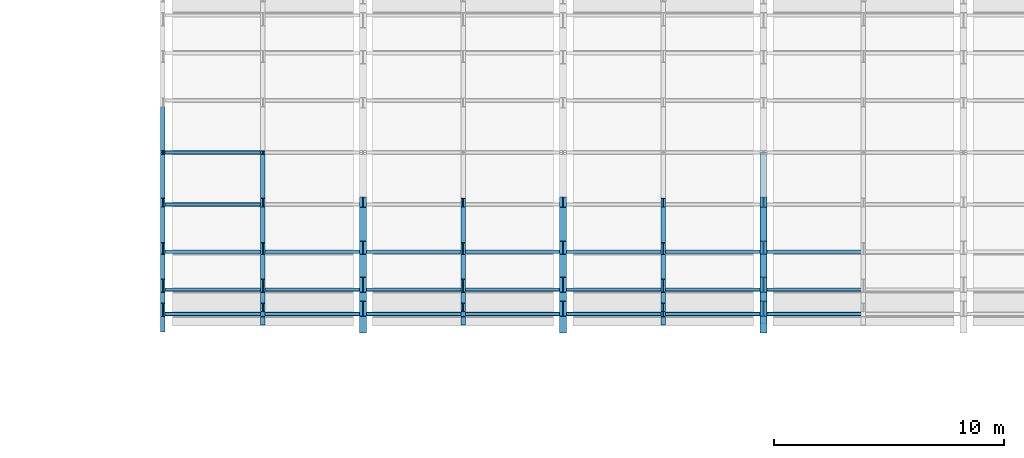
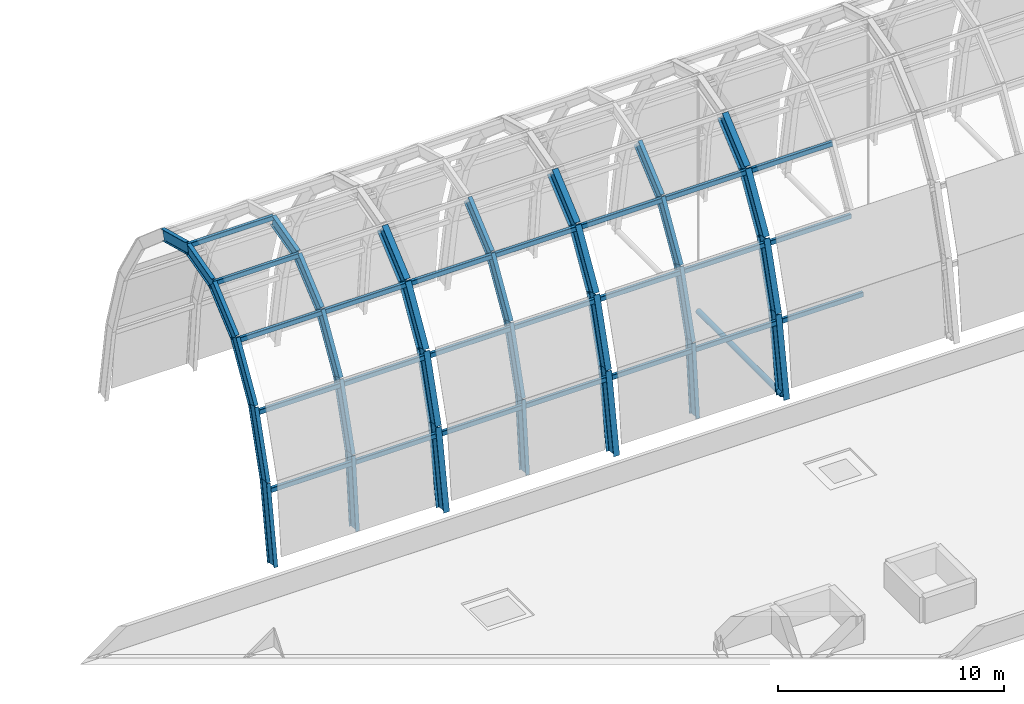
# One storey, part 1 of 13: 31 beams, 24 members.
"""IFC4 building model written with IfcOpenShell, lengths in metres."""

from ifc_helpers import new_model, si_unit, derived_unit, direction, frame, origin, origin_2d, place, context, subcontext, project, spatial, hollow_rectangle, hollow_circle, i_section, extrude, material, material_profile, profile_set, type_object, element, save


model = new_model("IFC4")

# Units and contexts
model_context = context("Model", 3, precision=1e-05, world=origin(), true_north=direction((0.0, 1.0)))
body_context = subcontext(model_context, "Body", "Model", "MODEL_VIEW")
ifc_project = project(units=[si_unit("LENGTHUNIT", "METRE"), si_unit("AREAUNIT", "SQUARE_METRE"), si_unit("VOLUMEUNIT", "CUBIC_METRE"), si_unit("PLANEANGLEUNIT", "RADIAN"), si_unit("MASSUNIT", "GRAM", prefix="KILO"), derived_unit("THERMALTRANSMITTANCEUNIT", [(si_unit("MASSUNIT", "GRAM", prefix="KILO"), 1), (si_unit("TIMEUNIT", "SECOND"), -3), (si_unit("THERMODYNAMICTEMPERATUREUNIT", "KELVIN"), -1)])], contexts=[model_context])

# Site, building, storey
site_placement = place(None, origin())
site = spatial("IfcSite", under=ifc_project, at=site_placement, CompositionType="ELEMENT")
building_placement = place(site_placement, origin())
building = spatial("IfcBuilding", under=site, at=building_placement, Name="Qinzheling Arcade Emporium", CompositionType="ELEMENT")
storey_placement = place(building_placement, frame((0.0, 0.0, 41.10009765625)))
storey = spatial("IfcBuildingStorey", under=building, at=storey_placement, Name="RF", CompositionType="ELEMENT", Elevation=41.10009765625)

# Beams
ifc_material = material(Name="Weathering steel Q355NH", Category="steel")
ifc_material_profile_1 = material_profile(ifc_material, i_section(OverallWidth=0.199951171875, OverallDepth=0.60009765625, WebThickness=0.010986328125, FlangeThickness=0.01708984375, FilletRadius=0.02001953125, at=origin_2d()), Name="HN 600x200x11x17", Category="steel")
ifc_profile_set_1 = profile_set([ifc_material_profile_1], Name="Weathering steel Q355NH")
beam_type_1 = type_object("IfcBeamType", Name="Atrium End Arch Rib HN600 Q355NH", PredefinedType="BEAM", material=ifc_profile_set_1)
beam_1_placement = place(storey_placement, frame((34.800048828125, 50.39990234375, -5.10009765625), z_axis=(0.0, 0.157845005708, 0.987463900187), x_axis=(-1.0, 0.0, 0.0)))
element("IfcBeam", 1, at=beam_1_placement, inside=storey, type_object=beam_type_1, Name="Atrium Arch Rib VLT-ATRIUM-RIB-01-S01", PredefinedType="BEAM", context=body_context, shape_type="SweptSolid", body=[
    extrude(i_section(OverallWidth=0.199951171875, OverallDepth=0.60009765625, WebThickness=0.010986328125, FlangeThickness=0.01708984375, FilletRadius=0.02001953125, at=origin_2d()), origin(), (0.0, 0.0, 1.0), 4.1884765625),
])
beam_2_placement = place(storey_placement, frame((34.800048828125, 51.06103515625, -0.964111328125), z_axis=(0.0, 0.289950987628, 0.957041495847), x_axis=(-1.0, 0.0, 0.0)))
element("IfcBeam", 2, at=beam_2_placement, inside=storey, type_object=beam_type_1, Name="Atrium Arch Rib VLT-ATRIUM-RIB-01-S02", PredefinedType="BEAM", context=body_context, shape_type="SweptSolid", body=[
    extrude(i_section(OverallWidth=0.199951171875, OverallDepth=0.60009765625, WebThickness=0.010986328125, FlangeThickness=0.01708984375, FilletRadius=0.02001953125, at=origin_2d()), origin(), (0.0, 0.0, 1.0), 3.603759765625),
])
beam_3_placement = place(storey_placement, frame((34.800048828125, 52.10595703125, 2.48486328125), z_axis=(0.0, 0.511083106472, 0.859531301512), x_axis=(-1.0, 0.0, 0.0)))
element("IfcBeam", 3, at=beam_3_placement, inside=storey, type_object=beam_type_1, Name="Atrium Arch Rib VLT-ATRIUM-RIB-01-S03", PredefinedType="BEAM", context=body_context, shape_type="SweptSolid", body=[
    extrude(i_section(OverallWidth=0.199951171875, OverallDepth=0.60009765625, WebThickness=0.010986328125, FlangeThickness=0.01708984375, FilletRadius=0.02001953125, at=origin_2d()), origin(), (0.0, 0.0, 1.0), 3.159912109375),
])
beam_4_placement = place(storey_placement, frame((34.800048828125, 53.720947265625, 5.200927734375), z_axis=(0.0, 0.759080059395, 0.650997283734), x_axis=(-1.0, 0.0, 0.0)))
element("IfcBeam", 4, at=beam_4_placement, inside=storey, type_object=beam_type_1, Name="Atrium Arch Rib VLT-ATRIUM-RIB-01-S04", PredefinedType="BEAM", context=body_context, shape_type="SweptSolid", body=[
    extrude(i_section(OverallWidth=0.199951171875, OverallDepth=0.60009765625, WebThickness=0.010986328125, FlangeThickness=0.01708984375, FilletRadius=0.02001953125, at=origin_2d()), origin(), (0.0, 0.0, 1.0), 2.635986328125),
])
for number, where, z_axis, x_axis, name in (
    (5, (34.800048828125, 55.721923828125, 6.9169921875), (0.0, 0.96599008247, 0.25857911859), (-1.0, 0.0, 0.0), "Atrium Arch Rib VLT-ATRIUM-RIB-01-S05"),
    (6, (34.800048828125, 57.89990234375, 7.5), (0.0, 0.96599008247, -0.25857911859), (-1.0, 0.0, 0.0), "Atrium Arch Rib VLT-ATRIUM-RIB-01-S06"),
):
    element("IfcBeam", number, at=place(storey_placement, frame(where, z_axis=z_axis, x_axis=x_axis)), inside=storey, type_object=beam_type_1, Name=name, PredefinedType="BEAM", context=body_context, shape_type="SweptSolid", body=[
        extrude(i_section(OverallWidth=0.199951171875, OverallDepth=0.60009765625, WebThickness=0.010986328125, FlangeThickness=0.01708984375, FilletRadius=0.02001953125, at=origin_2d()), origin(), (0.0, 0.0, 1.0), 2.254638671875),
    ])
beam_5_placement = place(storey_placement, frame((39.14990234375, 50.697021484375, -4.828125), z_axis=(0.0, 0.093291990198, 0.995638792216), x_axis=(-1.0, 0.0, 0.0)))
element("IfcBeam", 7, at=beam_5_placement, inside=storey, type_object=beam_type_1, Name="Atrium Sub-Rib VLT-ATRIUM-SRIB-B01-S01", PredefinedType="BEAM", context=body_context, shape_type="SweptSolid", body=[
    extrude(i_section(OverallWidth=0.199951171875, OverallDepth=0.60009765625, WebThickness=0.010986328125, FlangeThickness=0.01708984375, FilletRadius=0.02001953125, at=origin_2d()), origin(), (0.0, 0.0, 1.0), 3.880859375),
])
beam_6_placement = place(storey_placement, frame((39.14990234375, 51.05908203125, -0.964111328125), z_axis=(0.0, 0.29012392853, 0.956989083581), x_axis=(-1.0, 0.0, 0.0)))
element("IfcBeam", 8, at=beam_6_placement, inside=storey, type_object=beam_type_1, Name="Atrium Sub-Rib VLT-ATRIUM-SRIB-B01-S02", PredefinedType="BEAM", context=body_context, shape_type="SweptSolid", body=[
    extrude(i_section(OverallWidth=0.199951171875, OverallDepth=0.60009765625, WebThickness=0.010986328125, FlangeThickness=0.01708984375, FilletRadius=0.02001953125, at=origin_2d()), origin(), (0.0, 0.0, 1.0), 3.60498046875),
])
beam_7_placement = place(storey_placement, frame((39.14990234375, 52.10498046875, 2.48583984375), z_axis=(0.0, 0.511083106472, 0.859531301512), x_axis=(-1.0, 0.0, 0.0)))
element("IfcBeam", 9, at=beam_7_placement, inside=storey, type_object=beam_type_1, Name="Atrium Sub-Rib VLT-ATRIUM-SRIB-B01-S03", PredefinedType="BEAM", context=body_context, shape_type="SweptSolid", body=[
    extrude(i_section(OverallWidth=0.199951171875, OverallDepth=0.60009765625, WebThickness=0.010986328125, FlangeThickness=0.01708984375, FilletRadius=0.02001953125, at=origin_2d()), origin(), (0.0, 0.0, 1.0), 3.159912109375),
])
beam_8_placement = place(storey_placement, frame((39.14990234375, 53.719970703125, 5.201904296875), z_axis=(0.0, 0.758897005565, 0.651210668636), x_axis=(-1.0, 0.0, 0.0)))
element("IfcBeam", 10, at=beam_8_placement, inside=storey, type_object=beam_type_1, Name="Atrium Sub-Rib VLT-ATRIUM-SRIB-B01-S04", PredefinedType="BEAM", context=body_context, shape_type="SweptSolid", body=[
    extrude(i_section(OverallWidth=0.199951171875, OverallDepth=0.60009765625, WebThickness=0.010986328125, FlangeThickness=0.01708984375, FilletRadius=0.02001953125, at=origin_2d()), origin(), (0.0, 0.0, 1.0), 2.63671875),
])
beam_9_placement = place(storey_placement, frame((39.14990234375, 55.720947265625, 6.9189453125), z_axis=(0.0, 0.966019024802, 0.258470972686), x_axis=(-1.0, 0.0, 0.0)))
element("IfcBeam", 11, at=beam_9_placement, inside=storey, type_object=beam_type_1, Name="Atrium Sub-Rib VLT-ATRIUM-SRIB-B01-S05", PredefinedType="BEAM", context=body_context, shape_type="SweptSolid", body=[
    extrude(i_section(OverallWidth=0.199951171875, OverallDepth=0.60009765625, WebThickness=0.010986328125, FlangeThickness=0.01708984375, FilletRadius=0.02001953125, at=origin_2d()), origin(), (0.0, 0.0, 1.0), 2.255615234375),
])
beam_10_placement = place(storey_placement, frame((47.85009765625, 50.697021484375, -4.828125), z_axis=(0.0, 0.093291990198, 0.995638792216), x_axis=(-1.0, 0.0, 0.0)))
element("IfcBeam", 12, at=beam_10_placement, inside=storey, type_object=beam_type_1, Name="Atrium Sub-Rib VLT-ATRIUM-SRIB-B02-S01", PredefinedType="BEAM", context=body_context, shape_type="SweptSolid", body=[
    extrude(i_section(OverallWidth=0.199951171875, OverallDepth=0.60009765625, WebThickness=0.010986328125, FlangeThickness=0.01708984375, FilletRadius=0.02001953125, at=origin_2d()), origin(), (0.0, 0.0, 1.0), 3.880859375),
])
beam_11_placement = place(storey_placement, frame((47.85009765625, 51.05908203125, -0.964111328125), z_axis=(0.0, 0.29012392853, 0.956989083581), x_axis=(-1.0, 0.0, 0.0)))
element("IfcBeam", 13, at=beam_11_placement, inside=storey, type_object=beam_type_1, Name="Atrium Sub-Rib VLT-ATRIUM-SRIB-B02-S02", PredefinedType="BEAM", context=body_context, shape_type="SweptSolid", body=[
    extrude(i_section(OverallWidth=0.199951171875, OverallDepth=0.60009765625, WebThickness=0.010986328125, FlangeThickness=0.01708984375, FilletRadius=0.02001953125, at=origin_2d()), origin(), (0.0, 0.0, 1.0), 3.60498046875),
])
beam_12_placement = place(storey_placement, frame((47.85009765625, 52.10498046875, 2.48583984375), z_axis=(0.0, 0.511083106472, 0.859531301512), x_axis=(-1.0, 0.0, 0.0)))
element("IfcBeam", 14, at=beam_12_placement, inside=storey, type_object=beam_type_1, Name="Atrium Sub-Rib VLT-ATRIUM-SRIB-B02-S03", PredefinedType="BEAM", context=body_context, shape_type="SweptSolid", body=[
    extrude(i_section(OverallWidth=0.199951171875, OverallDepth=0.60009765625, WebThickness=0.010986328125, FlangeThickness=0.01708984375, FilletRadius=0.02001953125, at=origin_2d()), origin(), (0.0, 0.0, 1.0), 3.159912109375),
])
beam_13_placement = place(storey_placement, frame((47.85009765625, 53.719970703125, 5.201904296875), z_axis=(0.0, 0.758897005565, 0.651210668636), x_axis=(-1.0, 0.0, 0.0)))
element("IfcBeam", 15, at=beam_13_placement, inside=storey, type_object=beam_type_1, Name="Atrium Sub-Rib VLT-ATRIUM-SRIB-B02-S04", PredefinedType="BEAM", context=body_context, shape_type="SweptSolid", body=[
    extrude(i_section(OverallWidth=0.199951171875, OverallDepth=0.60009765625, WebThickness=0.010986328125, FlangeThickness=0.01708984375, FilletRadius=0.02001953125, at=origin_2d()), origin(), (0.0, 0.0, 1.0), 2.63671875),
])
beam_14_placement = place(storey_placement, frame((56.550048828125, 50.697021484375, -4.828125), z_axis=(0.0, 0.093291990198, 0.995638792216), x_axis=(-1.0, 0.0, 0.0)))
element("IfcBeam", 16, at=beam_14_placement, inside=storey, type_object=beam_type_1, Name="Atrium Sub-Rib VLT-ATRIUM-SRIB-B03-S01", PredefinedType="BEAM", context=body_context, shape_type="SweptSolid", body=[
    extrude(i_section(OverallWidth=0.199951171875, OverallDepth=0.60009765625, WebThickness=0.010986328125, FlangeThickness=0.01708984375, FilletRadius=0.02001953125, at=origin_2d()), origin(), (0.0, 0.0, 1.0), 3.880859375),
])
beam_15_placement = place(storey_placement, frame((56.550048828125, 51.05908203125, -0.964111328125), z_axis=(0.0, 0.29012392853, 0.956989083581), x_axis=(-1.0, 0.0, 0.0)))
element("IfcBeam", 17, at=beam_15_placement, inside=storey, type_object=beam_type_1, Name="Atrium Sub-Rib VLT-ATRIUM-SRIB-B03-S02", PredefinedType="BEAM", context=body_context, shape_type="SweptSolid", body=[
    extrude(i_section(OverallWidth=0.199951171875, OverallDepth=0.60009765625, WebThickness=0.010986328125, FlangeThickness=0.01708984375, FilletRadius=0.02001953125, at=origin_2d()), origin(), (0.0, 0.0, 1.0), 3.60498046875),
])
beam_16_placement = place(storey_placement, frame((56.550048828125, 52.10498046875, 2.48583984375), z_axis=(0.0, 0.511083106472, 0.859531301512), x_axis=(-1.0, 0.0, 0.0)))
element("IfcBeam", 18, at=beam_16_placement, inside=storey, type_object=beam_type_1, Name="Atrium Sub-Rib VLT-ATRIUM-SRIB-B03-S03", PredefinedType="BEAM", context=body_context, shape_type="SweptSolid", body=[
    extrude(i_section(OverallWidth=0.199951171875, OverallDepth=0.60009765625, WebThickness=0.010986328125, FlangeThickness=0.01708984375, FilletRadius=0.02001953125, at=origin_2d()), origin(), (0.0, 0.0, 1.0), 3.159912109375),
])
beam_17_placement = place(storey_placement, frame((56.550048828125, 53.719970703125, 5.201904296875), z_axis=(0.0, 0.758897005565, 0.651210668636), x_axis=(-1.0, 0.0, 0.0)))
element("IfcBeam", 19, at=beam_17_placement, inside=storey, type_object=beam_type_1, Name="Atrium Sub-Rib VLT-ATRIUM-SRIB-B03-S04", PredefinedType="BEAM", context=body_context, shape_type="SweptSolid", body=[
    extrude(i_section(OverallWidth=0.199951171875, OverallDepth=0.60009765625, WebThickness=0.010986328125, FlangeThickness=0.01708984375, FilletRadius=0.02001953125, at=origin_2d()), origin(), (0.0, 0.0, 1.0), 2.63671875),
])

# Members
ifc_material_profile_2 = material_profile(ifc_material, hollow_rectangle(XDim=0.159912109375, YDim=0.260009765625, WallThickness=0.010009765625, InnerFilletRadius=0.010009765625, OuterFilletRadius=0.02001953125, at=origin_2d()), Name="RHS 260x160x10", Category="steel")
ifc_profile_set_2 = profile_set([ifc_material_profile_2], Name="Weathering steel Q355NH")
member_type_1 = type_object("IfcMemberType", Name="Atrium Skylight Purlin RHS260 Q355NH", PredefinedType="PURLIN", material=ifc_profile_set_2)
member_1_placement = place(storey_placement, frame((34.800048828125, 50.884033203125, -1.380126953125), z_axis=(1.0, 0.0, 0.0), x_axis=(0.0, 1.0, 0.0)))
element("IfcMember", 20, at=member_1_placement, inside=storey, type_object=member_type_1, Name="Atrium Skylight Purlin VLT-ATRIUM-PUR-B01-N01-1", PredefinedType="PURLIN", context=body_context, shape_type="SweptSolid", body=[
    extrude(hollow_rectangle(XDim=0.159912109375, YDim=0.260009765625, WallThickness=0.010009765625, InnerFilletRadius=0.010009765625, OuterFilletRadius=0.02001953125, at=origin_2d()), origin(), (0.0, 0.0, 1.0), 4.349853515625),
])
member_2_placement = place(storey_placement, frame((39.14990234375, 50.884033203125, -1.380126953125), z_axis=(1.0, 0.0, 0.0), x_axis=(0.0, 1.0, 0.0)))
element("IfcMember", 21, at=member_2_placement, inside=storey, type_object=member_type_1, Name="Atrium Skylight Purlin VLT-ATRIUM-PUR-B01-N01-2", PredefinedType="PURLIN", context=body_context, shape_type="SweptSolid", body=[
    extrude(hollow_rectangle(XDim=0.159912109375, YDim=0.260009765625, WallThickness=0.010009765625, InnerFilletRadius=0.010009765625, OuterFilletRadius=0.02001953125, at=origin_2d()), origin(), (0.0, 0.0, 1.0), 4.35009765625),
])
member_3_placement = place(storey_placement, frame((34.800048828125, 51.94091796875, 2.201904296875), z_axis=(1.0, 0.0, 0.0), x_axis=(0.0, 1.0, 0.0)))
element("IfcMember", 22, at=member_3_placement, inside=storey, type_object=member_type_1, Name="Atrium Skylight Purlin VLT-ATRIUM-PUR-B01-N02-1", PredefinedType="PURLIN", context=body_context, shape_type="SweptSolid", body=[
    extrude(hollow_rectangle(XDim=0.159912109375, YDim=0.260009765625, WallThickness=0.010009765625, InnerFilletRadius=0.010009765625, OuterFilletRadius=0.02001953125, at=origin_2d()), origin(), (0.0, 0.0, 1.0), 4.349853515625),
])
member_4_placement = place(storey_placement, frame((39.14990234375, 51.94091796875, 2.201904296875), z_axis=(1.0, 0.0, 0.0), x_axis=(0.0, 1.0, 0.0)))
element("IfcMember", 23, at=member_4_placement, inside=storey, type_object=member_type_1, Name="Atrium Skylight Purlin VLT-ATRIUM-PUR-B01-N02-2", PredefinedType="PURLIN", context=body_context, shape_type="SweptSolid", body=[
    extrude(hollow_rectangle(XDim=0.159912109375, YDim=0.260009765625, WallThickness=0.010009765625, InnerFilletRadius=0.010009765625, OuterFilletRadius=0.02001953125, at=origin_2d()), origin(), (0.0, 0.0, 1.0), 4.35009765625),
])
member_5_placement = place(storey_placement, frame((34.800048828125, 53.5830078125, 5.1240234375), z_axis=(1.0, 0.0, 0.0), x_axis=(0.0, 1.0, 0.0)))
element("IfcMember", 24, at=member_5_placement, inside=storey, type_object=member_type_1, Name="Atrium Skylight Purlin VLT-ATRIUM-PUR-B01-N03-1", PredefinedType="PURLIN", context=body_context, shape_type="SweptSolid", body=[
    extrude(hollow_rectangle(XDim=0.159912109375, YDim=0.260009765625, WallThickness=0.010009765625, InnerFilletRadius=0.010009765625, OuterFilletRadius=0.02001953125, at=origin_2d()), origin(), (0.0, 0.0, 1.0), 4.349853515625),
])
member_6_placement = place(storey_placement, frame((39.14990234375, 53.5830078125, 5.1240234375), z_axis=(1.0, 0.0, 0.0), x_axis=(0.0, 1.0, 0.0)))
element("IfcMember", 25, at=member_6_placement, inside=storey, type_object=member_type_1, Name="Atrium Skylight Purlin VLT-ATRIUM-PUR-B01-N03-2", PredefinedType="PURLIN", context=body_context, shape_type="SweptSolid", body=[
    extrude(hollow_rectangle(XDim=0.159912109375, YDim=0.260009765625, WallThickness=0.010009765625, InnerFilletRadius=0.010009765625, OuterFilletRadius=0.02001953125, at=origin_2d()), origin(), (0.0, 0.0, 1.0), 4.35009765625),
])
for number, where, z_axis, x_axis, name in (
    (26, (34.800048828125, 55.635986328125, 6.98095703125), (1.0, 0.0, 0.0), (0.0, 1.0, 0.0), "Atrium Skylight Purlin VLT-ATRIUM-PUR-B01-N04-1"),
    (27, (34.800048828125, 57.89990234375, 7.64599609375), (1.0, 0.0, 0.0), (0.0, 1.0, 0.0), "Atrium Skylight Purlin VLT-ATRIUM-PUR-B01-N05-1"),
):
    element("IfcMember", number, at=place(storey_placement, frame(where, z_axis=z_axis, x_axis=x_axis)), inside=storey, type_object=member_type_1, Name=name, PredefinedType="PURLIN", context=body_context, shape_type="SweptSolid", body=[
        extrude(hollow_rectangle(XDim=0.159912109375, YDim=0.260009765625, WallThickness=0.010009765625, InnerFilletRadius=0.010009765625, OuterFilletRadius=0.02001953125, at=origin_2d()), origin(), (0.0, 0.0, 1.0), 4.349853515625),
    ])
member_7_placement = place(storey_placement, frame((43.5, 50.884033203125, -1.380126953125), z_axis=(1.0, 0.0, 0.0), x_axis=(0.0, 1.0, 0.0)))
element("IfcMember", 28, at=member_7_placement, inside=storey, type_object=member_type_1, Name="Atrium Skylight Purlin VLT-ATRIUM-PUR-B02-N01-1", PredefinedType="PURLIN", context=body_context, shape_type="SweptSolid", body=[
    extrude(hollow_rectangle(XDim=0.159912109375, YDim=0.260009765625, WallThickness=0.010009765625, InnerFilletRadius=0.010009765625, OuterFilletRadius=0.02001953125, at=origin_2d()), origin(), (0.0, 0.0, 1.0), 4.35009765625),
])
member_8_placement = place(storey_placement, frame((47.85009765625, 50.884033203125, -1.380126953125), z_axis=(1.0, 0.0, 0.0), x_axis=(0.0, 1.0, 0.0)))
element("IfcMember", 29, at=member_8_placement, inside=storey, type_object=member_type_1, Name="Atrium Skylight Purlin VLT-ATRIUM-PUR-B02-N01-2", PredefinedType="PURLIN", context=body_context, shape_type="SweptSolid", body=[
    extrude(hollow_rectangle(XDim=0.159912109375, YDim=0.260009765625, WallThickness=0.010009765625, InnerFilletRadius=0.010009765625, OuterFilletRadius=0.02001953125, at=origin_2d()), origin(), (0.0, 0.0, 1.0), 4.349853515625),
])
member_9_placement = place(storey_placement, frame((43.5, 51.94091796875, 2.201904296875), z_axis=(1.0, 0.0, 0.0), x_axis=(0.0, 1.0, 0.0)))
element("IfcMember", 30, at=member_9_placement, inside=storey, type_object=member_type_1, Name="Atrium Skylight Purlin VLT-ATRIUM-PUR-B02-N02-1", PredefinedType="PURLIN", context=body_context, shape_type="SweptSolid", body=[
    extrude(hollow_rectangle(XDim=0.159912109375, YDim=0.260009765625, WallThickness=0.010009765625, InnerFilletRadius=0.010009765625, OuterFilletRadius=0.02001953125, at=origin_2d()), origin(), (0.0, 0.0, 1.0), 4.35009765625),
])
member_10_placement = place(storey_placement, frame((47.85009765625, 51.94091796875, 2.201904296875), z_axis=(1.0, 0.0, 0.0), x_axis=(0.0, 1.0, 0.0)))
element("IfcMember", 31, at=member_10_placement, inside=storey, type_object=member_type_1, Name="Atrium Skylight Purlin VLT-ATRIUM-PUR-B02-N02-2", PredefinedType="PURLIN", context=body_context, shape_type="SweptSolid", body=[
    extrude(hollow_rectangle(XDim=0.159912109375, YDim=0.260009765625, WallThickness=0.010009765625, InnerFilletRadius=0.010009765625, OuterFilletRadius=0.02001953125, at=origin_2d()), origin(), (0.0, 0.0, 1.0), 4.349853515625),
])
member_11_placement = place(storey_placement, frame((43.5, 53.5830078125, 5.1240234375), z_axis=(1.0, 0.0, 0.0), x_axis=(0.0, 1.0, 0.0)))
element("IfcMember", 32, at=member_11_placement, inside=storey, type_object=member_type_1, Name="Atrium Skylight Purlin VLT-ATRIUM-PUR-B02-N03-1", PredefinedType="PURLIN", context=body_context, shape_type="SweptSolid", body=[
    extrude(hollow_rectangle(XDim=0.159912109375, YDim=0.260009765625, WallThickness=0.010009765625, InnerFilletRadius=0.010009765625, OuterFilletRadius=0.02001953125, at=origin_2d()), origin(), (0.0, 0.0, 1.0), 4.35009765625),
])
member_12_placement = place(storey_placement, frame((47.85009765625, 53.5830078125, 5.1240234375), z_axis=(1.0, 0.0, 0.0), x_axis=(0.0, 1.0, 0.0)))
element("IfcMember", 33, at=member_12_placement, inside=storey, type_object=member_type_1, Name="Atrium Skylight Purlin VLT-ATRIUM-PUR-B02-N03-2", PredefinedType="PURLIN", context=body_context, shape_type="SweptSolid", body=[
    extrude(hollow_rectangle(XDim=0.159912109375, YDim=0.260009765625, WallThickness=0.010009765625, InnerFilletRadius=0.010009765625, OuterFilletRadius=0.02001953125, at=origin_2d()), origin(), (0.0, 0.0, 1.0), 4.349853515625),
])
member_13_placement = place(storey_placement, frame((52.199951171875, 50.884033203125, -1.380126953125), z_axis=(1.0, 0.0, 0.0), x_axis=(0.0, 1.0, 0.0)))
element("IfcMember", 34, at=member_13_placement, inside=storey, type_object=member_type_1, Name="Atrium Skylight Purlin VLT-ATRIUM-PUR-B03-N01-1", PredefinedType="PURLIN", context=body_context, shape_type="SweptSolid", body=[
    extrude(hollow_rectangle(XDim=0.159912109375, YDim=0.260009765625, WallThickness=0.010009765625, InnerFilletRadius=0.010009765625, OuterFilletRadius=0.02001953125, at=origin_2d()), origin(), (0.0, 0.0, 1.0), 4.35009765625),
])
member_14_placement = place(storey_placement, frame((56.550048828125, 50.884033203125, -1.380126953125), z_axis=(1.0, 0.0, 0.0), x_axis=(0.0, 1.0, 0.0)))
element("IfcMember", 35, at=member_14_placement, inside=storey, type_object=member_type_1, Name="Atrium Skylight Purlin VLT-ATRIUM-PUR-B03-N01-2", PredefinedType="PURLIN", context=body_context, shape_type="SweptSolid", body=[
    extrude(hollow_rectangle(XDim=0.159912109375, YDim=0.260009765625, WallThickness=0.010009765625, InnerFilletRadius=0.010009765625, OuterFilletRadius=0.02001953125, at=origin_2d()), origin(), (0.0, 0.0, 1.0), 4.349853515625),
])
member_15_placement = place(storey_placement, frame((52.199951171875, 51.94091796875, 2.201904296875), z_axis=(1.0, 0.0, 0.0), x_axis=(0.0, 1.0, 0.0)))
element("IfcMember", 36, at=member_15_placement, inside=storey, type_object=member_type_1, Name="Atrium Skylight Purlin VLT-ATRIUM-PUR-B03-N02-1", PredefinedType="PURLIN", context=body_context, shape_type="SweptSolid", body=[
    extrude(hollow_rectangle(XDim=0.159912109375, YDim=0.260009765625, WallThickness=0.010009765625, InnerFilletRadius=0.010009765625, OuterFilletRadius=0.02001953125, at=origin_2d()), origin(), (0.0, 0.0, 1.0), 4.35009765625),
])
member_16_placement = place(storey_placement, frame((56.550048828125, 51.94091796875, 2.201904296875), z_axis=(1.0, 0.0, 0.0), x_axis=(0.0, 1.0, 0.0)))
element("IfcMember", 37, at=member_16_placement, inside=storey, type_object=member_type_1, Name="Atrium Skylight Purlin VLT-ATRIUM-PUR-B03-N02-2", PredefinedType="PURLIN", context=body_context, shape_type="SweptSolid", body=[
    extrude(hollow_rectangle(XDim=0.159912109375, YDim=0.260009765625, WallThickness=0.010009765625, InnerFilletRadius=0.010009765625, OuterFilletRadius=0.02001953125, at=origin_2d()), origin(), (0.0, 0.0, 1.0), 4.349853515625),
])
member_17_placement = place(storey_placement, frame((52.199951171875, 53.5830078125, 5.1240234375), z_axis=(1.0, 0.0, 0.0), x_axis=(0.0, 1.0, 0.0)))
element("IfcMember", 38, at=member_17_placement, inside=storey, type_object=member_type_1, Name="Atrium Skylight Purlin VLT-ATRIUM-PUR-B03-N03-1", PredefinedType="PURLIN", context=body_context, shape_type="SweptSolid", body=[
    extrude(hollow_rectangle(XDim=0.159912109375, YDim=0.260009765625, WallThickness=0.010009765625, InnerFilletRadius=0.010009765625, OuterFilletRadius=0.02001953125, at=origin_2d()), origin(), (0.0, 0.0, 1.0), 4.35009765625),
])
member_18_placement = place(storey_placement, frame((56.550048828125, 53.5830078125, 5.1240234375), z_axis=(1.0, 0.0, 0.0), x_axis=(0.0, 1.0, 0.0)))
element("IfcMember", 39, at=member_18_placement, inside=storey, type_object=member_type_1, Name="Atrium Skylight Purlin VLT-ATRIUM-PUR-B03-N03-2", PredefinedType="PURLIN", context=body_context, shape_type="SweptSolid", body=[
    extrude(hollow_rectangle(XDim=0.159912109375, YDim=0.260009765625, WallThickness=0.010009765625, InnerFilletRadius=0.010009765625, OuterFilletRadius=0.02001953125, at=origin_2d()), origin(), (0.0, 0.0, 1.0), 4.349853515625),
])
for number, where, z_axis, x_axis, name in (
    (40, (60.89990234375, 50.884033203125, -1.380126953125), (1.0, 0.0, 0.0), (0.0, 1.0, 0.0), "Atrium Skylight Purlin VLT-ATRIUM-PUR-B04-N01-1"),
    (41, (60.89990234375, 51.94091796875, 2.201904296875), (1.0, 0.0, 0.0), (0.0, 1.0, 0.0), "Atrium Skylight Purlin VLT-ATRIUM-PUR-B04-N02-1"),
    (42, (60.89990234375, 53.5830078125, 5.1240234375), (1.0, 0.0, 0.0), (0.0, 1.0, 0.0), "Atrium Skylight Purlin VLT-ATRIUM-PUR-B04-N03-1"),
):
    element("IfcMember", number, at=place(storey_placement, frame(where, z_axis=z_axis, x_axis=x_axis)), inside=storey, type_object=member_type_1, Name=name, PredefinedType="PURLIN", context=body_context, shape_type="SweptSolid", body=[
        extrude(hollow_rectangle(XDim=0.159912109375, YDim=0.260009765625, WallThickness=0.010009765625, InnerFilletRadius=0.010009765625, OuterFilletRadius=0.02001953125, at=origin_2d()), origin(), (0.0, 0.0, 1.0), 4.35009765625),
    ])

# Beams
ifc_material_profile_3 = material_profile(ifc_material, i_section(OverallWidth=0.300048828125, OverallDepth=0.699951171875, WebThickness=0.012939453125, FlangeThickness=0.02392578125, FilletRadius=0.02392578125, at=origin_2d()), Name="HN 700x300x13x24", Category="steel")
ifc_profile_set_3 = profile_set([ifc_material_profile_3], Name="Weathering steel Q355NH")
beam_type_2 = type_object("IfcBeamType", Name="Atrium Vault Arch Rib HN700 Q355NH", PredefinedType="BEAM", material=ifc_profile_set_3)
beam_18_placement = place(storey_placement, frame((43.5, 50.39990234375, -5.150146484375), z_axis=(0.0, 0.167659912013, 0.985844893431), x_axis=(-1.0, 0.0, 0.0)))
element("IfcBeam", 43, at=beam_18_placement, inside=storey, type_object=beam_type_2, Name="Atrium Arch Rib VLT-ATRIUM-RIB-02-S01", PredefinedType="BEAM", context=body_context, shape_type="SweptSolid", body=[
    extrude(i_section(OverallWidth=0.300048828125, OverallDepth=0.699951171875, WebThickness=0.012939453125, FlangeThickness=0.02392578125, FilletRadius=0.02392578125, at=origin_2d()), origin(), (0.0, 0.0, 1.0), 4.236083984375),
])
beam_19_placement = place(storey_placement, frame((43.5, 51.110107421875, -0.97412109375), z_axis=(0.0, 0.289977224011, 0.957033546724), x_axis=(-1.0, 0.0, 0.0)))
element("IfcBeam", 44, at=beam_19_placement, inside=storey, type_object=beam_type_2, Name="Atrium Arch Rib VLT-ATRIUM-RIB-02-S02", PredefinedType="BEAM", context=body_context, shape_type="SweptSolid", body=[
    extrude(i_section(OverallWidth=0.300048828125, OverallDepth=0.699951171875, WebThickness=0.012939453125, FlangeThickness=0.02392578125, FilletRadius=0.02392578125, at=origin_2d()), origin(), (0.0, 0.0, 1.0), 3.59326171875),
])
beam_20_placement = place(storey_placement, frame((43.5, 52.152099609375, 2.46484375), z_axis=(0.0, 0.511090888191, 0.859526674401), x_axis=(-1.0, 0.0, 0.0)))
element("IfcBeam", 45, at=beam_20_placement, inside=storey, type_object=beam_type_2, Name="Atrium Arch Rib VLT-ATRIUM-RIB-02-S03", PredefinedType="BEAM", context=body_context, shape_type="SweptSolid", body=[
    extrude(i_section(OverallWidth=0.300048828125, OverallDepth=0.699951171875, WebThickness=0.012939453125, FlangeThickness=0.02392578125, FilletRadius=0.02392578125, at=origin_2d()), origin(), (0.0, 0.0, 1.0), 3.14599609375),
])
beam_21_placement = place(storey_placement, frame((43.5, 53.760009765625, 5.1689453125), z_axis=(0.0, 0.758815061516, 0.651306151066), x_axis=(-1.0, 0.0, 0.0)))
element("IfcBeam", 46, at=beam_21_placement, inside=storey, type_object=beam_type_2, Name="Atrium Arch Rib VLT-ATRIUM-RIB-02-S04", PredefinedType="BEAM", context=body_context, shape_type="SweptSolid", body=[
    extrude(i_section(OverallWidth=0.300048828125, OverallDepth=0.699951171875, WebThickness=0.012939453125, FlangeThickness=0.02392578125, FilletRadius=0.02392578125, at=origin_2d()), origin(), (0.0, 0.0, 1.0), 2.615966796875),
])
beam_22_placement = place(storey_placement, frame((52.199951171875, 50.39990234375, -5.150146484375), z_axis=(0.0, 0.167659912013, 0.985844893431), x_axis=(-1.0, 0.0, 0.0)))
element("IfcBeam", 47, at=beam_22_placement, inside=storey, type_object=beam_type_2, Name="Atrium Arch Rib VLT-ATRIUM-RIB-03-S01", PredefinedType="BEAM", context=body_context, shape_type="SweptSolid", body=[
    extrude(i_section(OverallWidth=0.300048828125, OverallDepth=0.699951171875, WebThickness=0.012939453125, FlangeThickness=0.02392578125, FilletRadius=0.02392578125, at=origin_2d()), origin(), (0.0, 0.0, 1.0), 4.236083984375),
])
beam_23_placement = place(storey_placement, frame((52.199951171875, 51.110107421875, -0.97412109375), z_axis=(0.0, 0.289977224011, 0.957033546724), x_axis=(-1.0, 0.0, 0.0)))
element("IfcBeam", 48, at=beam_23_placement, inside=storey, type_object=beam_type_2, Name="Atrium Arch Rib VLT-ATRIUM-RIB-03-S02", PredefinedType="BEAM", context=body_context, shape_type="SweptSolid", body=[
    extrude(i_section(OverallWidth=0.300048828125, OverallDepth=0.699951171875, WebThickness=0.012939453125, FlangeThickness=0.02392578125, FilletRadius=0.02392578125, at=origin_2d()), origin(), (0.0, 0.0, 1.0), 3.59326171875),
])
beam_24_placement = place(storey_placement, frame((52.199951171875, 52.152099609375, 2.46484375), z_axis=(0.0, 0.511090888191, 0.859526674401), x_axis=(-1.0, 0.0, 0.0)))
element("IfcBeam", 49, at=beam_24_placement, inside=storey, type_object=beam_type_2, Name="Atrium Arch Rib VLT-ATRIUM-RIB-03-S03", PredefinedType="BEAM", context=body_context, shape_type="SweptSolid", body=[
    extrude(i_section(OverallWidth=0.300048828125, OverallDepth=0.699951171875, WebThickness=0.012939453125, FlangeThickness=0.02392578125, FilletRadius=0.02392578125, at=origin_2d()), origin(), (0.0, 0.0, 1.0), 3.14599609375),
])
beam_25_placement = place(storey_placement, frame((52.199951171875, 53.760009765625, 5.1689453125), z_axis=(0.0, 0.758815061516, 0.651306151066), x_axis=(-1.0, 0.0, 0.0)))
element("IfcBeam", 50, at=beam_25_placement, inside=storey, type_object=beam_type_2, Name="Atrium Arch Rib VLT-ATRIUM-RIB-03-S04", PredefinedType="BEAM", context=body_context, shape_type="SweptSolid", body=[
    extrude(i_section(OverallWidth=0.300048828125, OverallDepth=0.699951171875, WebThickness=0.012939453125, FlangeThickness=0.02392578125, FilletRadius=0.02392578125, at=origin_2d()), origin(), (0.0, 0.0, 1.0), 2.615966796875),
])
beam_26_placement = place(storey_placement, frame((60.89990234375, 50.39990234375, -5.150146484375), z_axis=(0.0, 0.167659912013, 0.985844893431), x_axis=(-1.0, 0.0, 0.0)))
element("IfcBeam", 51, at=beam_26_placement, inside=storey, type_object=beam_type_2, Name="Atrium Arch Rib VLT-ATRIUM-RIB-04-S01", PredefinedType="BEAM", context=body_context, shape_type="SweptSolid", body=[
    extrude(i_section(OverallWidth=0.300048828125, OverallDepth=0.699951171875, WebThickness=0.012939453125, FlangeThickness=0.02392578125, FilletRadius=0.02392578125, at=origin_2d()), origin(), (0.0, 0.0, 1.0), 4.236083984375),
])
beam_27_placement = place(storey_placement, frame((60.89990234375, 51.110107421875, -0.97412109375), z_axis=(0.0, 0.289977224011, 0.957033546724), x_axis=(-1.0, 0.0, 0.0)))
element("IfcBeam", 52, at=beam_27_placement, inside=storey, type_object=beam_type_2, Name="Atrium Arch Rib VLT-ATRIUM-RIB-04-S02", PredefinedType="BEAM", context=body_context, shape_type="SweptSolid", body=[
    extrude(i_section(OverallWidth=0.300048828125, OverallDepth=0.699951171875, WebThickness=0.012939453125, FlangeThickness=0.02392578125, FilletRadius=0.02392578125, at=origin_2d()), origin(), (0.0, 0.0, 1.0), 3.59326171875),
])
beam_28_placement = place(storey_placement, frame((60.89990234375, 52.152099609375, 2.46484375), z_axis=(0.0, 0.511090888191, 0.859526674401), x_axis=(-1.0, 0.0, 0.0)))
element("IfcBeam", 53, at=beam_28_placement, inside=storey, type_object=beam_type_2, Name="Atrium Arch Rib VLT-ATRIUM-RIB-04-S03", PredefinedType="BEAM", context=body_context, shape_type="SweptSolid", body=[
    extrude(i_section(OverallWidth=0.300048828125, OverallDepth=0.699951171875, WebThickness=0.012939453125, FlangeThickness=0.02392578125, FilletRadius=0.02392578125, at=origin_2d()), origin(), (0.0, 0.0, 1.0), 3.14599609375),
])
beam_29_placement = place(storey_placement, frame((60.89990234375, 53.760009765625, 5.1689453125), z_axis=(0.0, 0.758815061516, 0.651306151066), x_axis=(-1.0, 0.0, 0.0)))
element("IfcBeam", 54, at=beam_29_placement, inside=storey, type_object=beam_type_2, Name="Atrium Arch Rib VLT-ATRIUM-RIB-04-S04", PredefinedType="BEAM", context=body_context, shape_type="SweptSolid", body=[
    extrude(i_section(OverallWidth=0.300048828125, OverallDepth=0.699951171875, WebThickness=0.012939453125, FlangeThickness=0.02392578125, FilletRadius=0.02392578125, at=origin_2d()), origin(), (0.0, 0.0, 1.0), 2.615966796875),
])

# Member
ifc_material_profile_4 = material_profile(ifc_material, hollow_circle(Radius=0.136474609375, WallThickness=0.011962890625, at=origin_2d()), Name="CHS 273x12", Category="steel")
ifc_profile_set_4 = profile_set([ifc_material_profile_4], Name="Weathering steel Q355NH")
member_type_2 = type_object("IfcMemberType", Name="Vault Thrust Tie Chord CHS273 Q355NH", PredefinedType="CHORD", material=ifc_profile_set_4)
member_19_placement = place(storey_placement, frame((60.89990234375, 50.449951171875, -5.050048828125), z_axis=(0.0, 1.0, 0.0), x_axis=(-1.0, 0.0, 0.0)))
element("IfcMember", 55, at=member_19_placement, inside=storey, type_object=member_type_2, Name="Atrium Thrust Tie VLT-ATRIUM-TIE-04-1", PredefinedType="CHORD", context=body_context, shape_type="SweptSolid", body=[
    extrude(hollow_circle(Radius=0.136474609375, WallThickness=0.011962890625, at=origin_2d()), origin(), (0.0, 0.0, 1.0), 7.449951171875),
])

save(model, "model.ifc")
